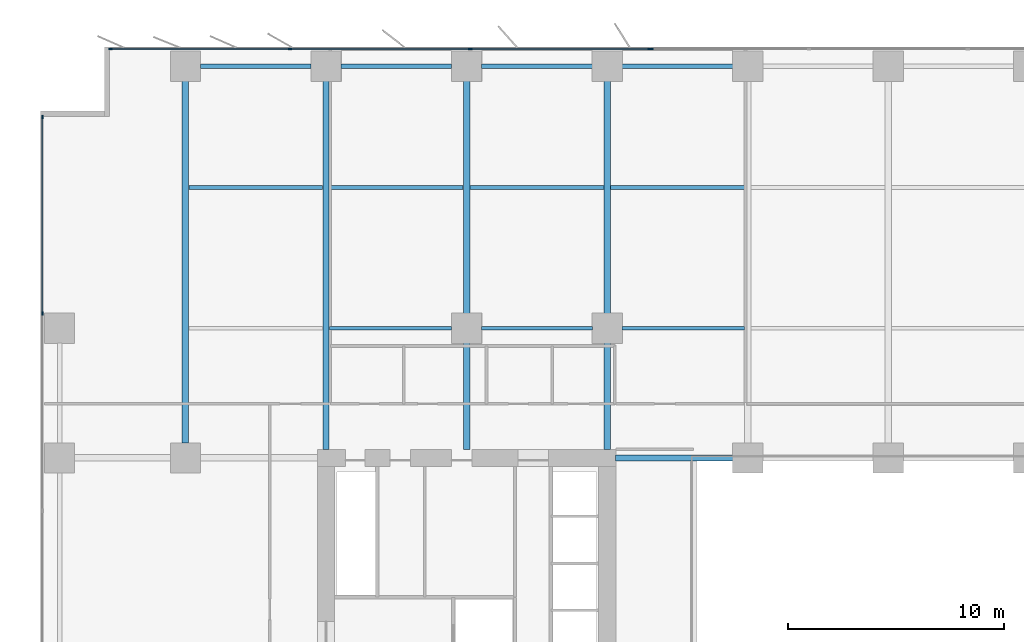
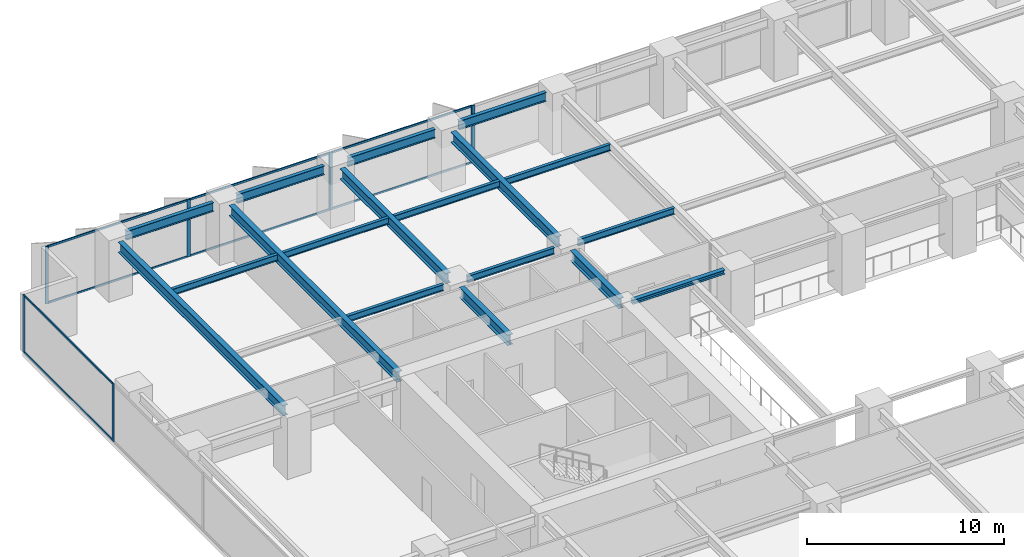
# One storey, part 7 of 20: 18 beams, 15 members, 3 elements without a shape of their own.
"""IFC4 building model written with IfcOpenShell, lengths in metres."""

from ifc_helpers import new_model, si_unit, direction, frame, origin, origin_2d, place, context, subcontext, project, spatial, rectangle, i_section, extrude, material, layer, layer_set, material_profile, profile_set, type_object, element, aggregate, save


model = new_model("IFC4")

# Units and contexts
model_context = context("Model", 3, precision=1e-05, world=origin(), true_north=direction((0.0, 1.0)))
body_context = subcontext(model_context, "Body", "Model", "MODEL_VIEW")
ifc_project = project(units=[si_unit("LENGTHUNIT", "METRE"), si_unit("AREAUNIT", "SQUARE_METRE"), si_unit("VOLUMEUNIT", "CUBIC_METRE"), si_unit("PLANEANGLEUNIT", "RADIAN"), si_unit("MASSUNIT", "GRAM", prefix="KILO")], contexts=[model_context])

# Site, building, storey
site_placement = place(None, origin())
site = spatial("IfcSite", under=ifc_project, at=site_placement, CompositionType="ELEMENT")
building_placement = place(site_placement, origin())
building = spatial("IfcBuilding", under=site, at=building_placement, Name="Putna Gate Headquarters", CompositionType="ELEMENT")
storey_placement = place(building_placement, frame((0.0, 0.0, 27.800048828125)))
storey = spatial("IfcBuildingStorey", under=building, at=storey_placement, Name="L05", CompositionType="ELEMENT", Elevation=27.800048828125)

# Beams
ifc_material_1 = material(Name="Steel S355J2", Category="steel")
ifc_material_profile_1 = material_profile(ifc_material_1, i_section(OverallWidth=0.260009765625, OverallDepth=0.260009765625, WebThickness=0.010009765625, FlangeThickness=0.017578125, at=origin_2d()), Name="Steel S355J2")
ifc_profile_set_1 = profile_set([ifc_material_profile_1], Name="Steel S355J2")
beam_type_1 = type_object("IfcBeamType", Name="BM-ATRIUM-HEB260", PredefinedType="BEAM", material=ifc_profile_set_1)
beam_1_placement = place(storey_placement, frame((26.385009765625, 33.0, 3.419921875), z_axis=(1.0, 0.0, 0.0), x_axis=(0.0, 1.0, 0.0)))
element("IfcBeam", 1, at=beam_1_placement, inside=storey, type_object=beam_type_1, Name="L05 Atrium Edge Beam AN1", PredefinedType="BEAM", context=body_context, shape_type="SweptSolid", body=[
    extrude(i_section(OverallWidth=0.260009765625, OverallDepth=0.260009765625, WebThickness=0.010009765625, FlangeThickness=0.017578125, at=origin_2d()), origin(), (0.0, 0.0, 1.0), 5.427001953125),
])
ifc_material_profile_2 = material_profile(ifc_material_1, i_section(OverallWidth=0.300048828125, OverallDepth=0.64990234375, WebThickness=0.01611328125, FlangeThickness=0.031005859375, at=origin_2d()), Name="Steel S355J2")
ifc_profile_set_2 = profile_set([ifc_material_profile_2], Name="Steel S355J2")
beam_type_2 = type_object("IfcBeamType", Name="BM-GIRD-Z1-HEB650", PredefinedType="USERDEFINED", material=ifc_profile_set_2)
beam_2_placement = place(storey_placement, frame((6.5, 33.68798828125, 3.224853515625), z_axis=(0.0, 1.0, 0.0), x_axis=(-1.0, 0.0, 0.0)))
element("IfcBeam", 2, at=beam_2_placement, inside=storey, type_object=beam_type_2, Name="L05 North Primary Girder X6", ObjectType="GIRDER", PredefinedType="USERDEFINED", context=body_context, shape_type="SweptSolid", body=[
    extrude(i_section(OverallWidth=0.300048828125, OverallDepth=0.64990234375, WebThickness=0.01611328125, FlangeThickness=0.031005859375, at=origin_2d()), origin(), (0.0, 0.0, 1.0), 16.743896484375),
])
beam_3_placement = place(storey_placement, frame((13.0, 33.385009765625, 3.224853515625), z_axis=(0.0, 1.0, 0.0), x_axis=(-1.0, 0.0, 0.0)))
element("IfcBeam", 3, at=beam_3_placement, inside=storey, type_object=beam_type_2, Name="L05 North Primary Girder X13", ObjectType="GIRDER", PredefinedType="USERDEFINED", context=body_context, shape_type="SweptSolid", body=[
    extrude(i_section(OverallWidth=0.300048828125, OverallDepth=0.64990234375, WebThickness=0.01611328125, FlangeThickness=0.031005859375, at=origin_2d()), origin(), (0.0, 0.0, 1.0), 17.046875),
])
beam_4_placement = place(storey_placement, frame((19.5, 33.385009765625, 3.224853515625), z_axis=(0.0, 1.0, 0.0), x_axis=(-1.0, 0.0, 0.0)))
element("IfcBeam", 4, at=beam_4_placement, inside=storey, type_object=beam_type_2, Name="L05 North Primary Girder X19-1", ObjectType="GIRDER", PredefinedType="USERDEFINED", context=body_context, shape_type="SweptSolid", body=[
    extrude(i_section(OverallWidth=0.300048828125, OverallDepth=0.64990234375, WebThickness=0.01611328125, FlangeThickness=0.031005859375, at=origin_2d()), origin(), (0.0, 0.0, 1.0), 4.927001953125),
])
beam_5_placement = place(storey_placement, frame((19.5, 39.68798828125, 3.224853515625), z_axis=(0.0, 1.0, 0.0), x_axis=(-1.0, 0.0, 0.0)))
element("IfcBeam", 5, at=beam_5_placement, inside=storey, type_object=beam_type_2, Name="L05 North Primary Girder X19-2", ObjectType="GIRDER", PredefinedType="USERDEFINED", context=body_context, shape_type="SweptSolid", body=[
    extrude(i_section(OverallWidth=0.300048828125, OverallDepth=0.64990234375, WebThickness=0.01611328125, FlangeThickness=0.031005859375, at=origin_2d()), origin(), (0.0, 0.0, 1.0), 10.743896484375),
])
beam_6_placement = place(storey_placement, frame((26.0, 33.385009765625, 3.224853515625), z_axis=(0.0, 1.0, 0.0), x_axis=(-1.0, 0.0, 0.0)))
element("IfcBeam", 6, at=beam_6_placement, inside=storey, type_object=beam_type_2, Name="L05 North Primary Girder X26-1", ObjectType="GIRDER", PredefinedType="USERDEFINED", context=body_context, shape_type="SweptSolid", body=[
    extrude(i_section(OverallWidth=0.300048828125, OverallDepth=0.64990234375, WebThickness=0.01611328125, FlangeThickness=0.031005859375, at=origin_2d()), origin(), (0.0, 0.0, 1.0), 4.927001953125),
])
beam_7_placement = place(storey_placement, frame((26.0, 39.68798828125, 3.224853515625), z_axis=(0.0, 1.0, 0.0), x_axis=(-1.0, 0.0, 0.0)))
element("IfcBeam", 7, at=beam_7_placement, inside=storey, type_object=beam_type_2, Name="L05 North Primary Girder X26-2", ObjectType="GIRDER", PredefinedType="USERDEFINED", context=body_context, shape_type="SweptSolid", body=[
    extrude(i_section(OverallWidth=0.300048828125, OverallDepth=0.64990234375, WebThickness=0.01611328125, FlangeThickness=0.031005859375, at=origin_2d()), origin(), (0.0, 0.0, 1.0), 10.743896484375),
])
ifc_material_profile_3 = material_profile(ifc_material_1, i_section(OverallWidth=0.179931640625, OverallDepth=0.39990234375, WebThickness=0.008544921875, FlangeThickness=0.013427734375, at=origin_2d()), Name="Steel S355J2")
ifc_profile_set_3 = profile_set([ifc_material_profile_3], Name="Steel S355J2")
beam_type_3 = type_object("IfcBeamType", Name="BM-SEC-Z1-IPE400", PredefinedType="BEAM", material=ifc_profile_set_3)
beam_8_placement = place(storey_placement, frame((6.654052734375, 45.5, 3.349853515625), z_axis=(1.0, 0.0, 0.0), x_axis=(0.0, 1.0, 0.0)))
element("IfcBeam", 8, at=beam_8_placement, inside=storey, type_object=beam_type_3, Name="L05 North Secondary Beam 1", PredefinedType="BEAM", context=body_context, shape_type="SweptSolid", body=[
    extrude(i_section(OverallWidth=0.179931640625, OverallDepth=0.39990234375, WebThickness=0.008544921875, FlangeThickness=0.013427734375, at=origin_2d()), origin(), (0.0, 0.0, 1.0), 6.19189453125),
])
beam_9_placement = place(storey_placement, frame((13.154052734375, 39.0, 3.349853515625), z_axis=(1.0, 0.0, 0.0), x_axis=(0.0, 1.0, 0.0)))
element("IfcBeam", 9, at=beam_9_placement, inside=storey, type_object=beam_type_3, Name="L05 North Secondary Beam 2", PredefinedType="BEAM", context=body_context, shape_type="SweptSolid", body=[
    extrude(i_section(OverallWidth=0.179931640625, OverallDepth=0.39990234375, WebThickness=0.008544921875, FlangeThickness=0.013427734375, at=origin_2d()), origin(), (0.0, 0.0, 1.0), 5.657958984375),
])
beam_10_placement = place(storey_placement, frame((13.154052734375, 45.5, 3.349853515625), z_axis=(1.0, 0.0, 0.0), x_axis=(0.0, 1.0, 0.0)))
element("IfcBeam", 10, at=beam_10_placement, inside=storey, type_object=beam_type_3, Name="L05 North Secondary Beam 2", PredefinedType="BEAM", context=body_context, shape_type="SweptSolid", body=[
    extrude(i_section(OverallWidth=0.179931640625, OverallDepth=0.39990234375, WebThickness=0.008544921875, FlangeThickness=0.013427734375, at=origin_2d()), origin(), (0.0, 0.0, 1.0), 6.19189453125),
])
beam_11_placement = place(storey_placement, frame((20.18798828125, 39.0, 3.349853515625), z_axis=(1.0, 0.0, 0.0), x_axis=(0.0, 1.0, 0.0)))
element("IfcBeam", 11, at=beam_11_placement, inside=storey, type_object=beam_type_3, Name="L05 North Secondary Beam 3", PredefinedType="BEAM", context=body_context, shape_type="SweptSolid", body=[
    extrude(i_section(OverallWidth=0.179931640625, OverallDepth=0.39990234375, WebThickness=0.008544921875, FlangeThickness=0.013427734375, at=origin_2d()), origin(), (0.0, 0.0, 1.0), 5.1240234375),
])
beam_12_placement = place(storey_placement, frame((19.654052734375, 45.5, 3.349853515625), z_axis=(1.0, 0.0, 0.0), x_axis=(0.0, 1.0, 0.0)))
element("IfcBeam", 12, at=beam_12_placement, inside=storey, type_object=beam_type_3, Name="L05 North Secondary Beam 3", PredefinedType="BEAM", context=body_context, shape_type="SweptSolid", body=[
    extrude(i_section(OverallWidth=0.179931640625, OverallDepth=0.39990234375, WebThickness=0.008544921875, FlangeThickness=0.013427734375, at=origin_2d()), origin(), (0.0, 0.0, 1.0), 6.19189453125),
])
beam_13_placement = place(storey_placement, frame((26.68798828125, 39.0, 3.349853515625), z_axis=(1.0, 0.0, 0.0), x_axis=(0.0, 1.0, 0.0)))
element("IfcBeam", 13, at=beam_13_placement, inside=storey, type_object=beam_type_3, Name="L05 North Secondary Beam 4", PredefinedType="BEAM", context=body_context, shape_type="SweptSolid", body=[
    extrude(i_section(OverallWidth=0.179931640625, OverallDepth=0.39990234375, WebThickness=0.008544921875, FlangeThickness=0.013427734375, at=origin_2d()), origin(), (0.0, 0.0, 1.0), 5.657958984375),
])
beam_14_placement = place(storey_placement, frame((26.154052734375, 45.5, 3.349853515625), z_axis=(1.0, 0.0, 0.0), x_axis=(0.0, 1.0, 0.0)))
element("IfcBeam", 14, at=beam_14_placement, inside=storey, type_object=beam_type_3, Name="L05 North Secondary Beam 4", PredefinedType="BEAM", context=body_context, shape_type="SweptSolid", body=[
    extrude(i_section(OverallWidth=0.179931640625, OverallDepth=0.39990234375, WebThickness=0.008544921875, FlangeThickness=0.013427734375, at=origin_2d()), origin(), (0.0, 0.0, 1.0), 6.19189453125),
])
ifc_material_profile_4 = material_profile(ifc_material_1, i_section(OverallWidth=0.2099609375, OverallDepth=0.550048828125, WebThickness=0.010986328125, FlangeThickness=0.01708984375, at=origin_2d()), Name="Steel S355J2")
ifc_profile_set_4 = profile_set([ifc_material_profile_4], Name="Steel S355J2")
beam_type_4 = type_object("IfcBeamType", Name="BM-SPAN-Z1-IPE550", PredefinedType="SPANDREL", material=ifc_profile_set_4)
for number, where, z_axis, x_axis, name in (
    (15, (7.18798828125, 51.1201171875, 3.27490234375), (1.0, 0.0, 0.0), (0.0, 1.0, 0.0), "L05 N Perimeter Spandrel 1"),
    (16, (13.68798828125, 51.1201171875, 3.27490234375), (1.0, 0.0, 0.0), (0.0, 1.0, 0.0), "L05 N Perimeter Spandrel 2"),
    (17, (20.18798828125, 51.1201171875, 3.27490234375), (1.0, 0.0, 0.0), (0.0, 1.0, 0.0), "L05 N Perimeter Spandrel 3"),
    (18, (26.68798828125, 51.1201171875, 3.27490234375), (1.0, 0.0, 0.0), (0.0, 1.0, 0.0), "L05 N Perimeter Spandrel 4"),
):
    element("IfcBeam", number, at=place(storey_placement, frame(where, z_axis=z_axis, x_axis=x_axis)), inside=storey, type_object=beam_type_4, Name=name, PredefinedType="SPANDREL", context=body_context, shape_type="SweptSolid", body=[
        extrude(i_section(OverallWidth=0.2099609375, OverallDepth=0.550048828125, WebThickness=0.010986328125, FlangeThickness=0.01708984375, at=origin_2d()), origin(), (0.0, 0.0, 1.0), 5.1240234375),
    ])

# Curtain wall, members
ifc_material_2 = material(Name="Anodised bronze aluminium curtain wall", Category="aluminium")
ifc_layer_1 = layer(ifc_material_2, 0.179931640625)
ifc_layer_set_1 = layer_set([ifc_layer_1], Name="Anodised bronze aluminium curtain wall")
curtain_wall_type_1 = type_object("IfcCurtainWallType", Name="CW-SYS-Z1", PredefinedType="USERDEFINED", material=ifc_layer_set_1)
curtain_wall_1_placement = place(storey_placement, origin())
curtain_wall_1 = element("IfcCurtainWall", 19, at=curtain_wall_1_placement, inside=storey, type_object=curtain_wall_type_1, Name="L05 North West Curtain Wall", ObjectType="STICK CURTAIN WALL", PredefinedType="USERDEFINED")
ifc_material_3 = material(Name="Anodised bronze aluminium EN AW-6060", Category="aluminium")
ifc_material_profile_5 = material_profile(ifc_material_3, rectangle(XDim=0.070068359375, YDim=0.179931640625, at=origin_2d()), Name="Anodised bronze aluminium EN AW-6060")
ifc_profile_set_5 = profile_set([ifc_material_profile_5], Name="Anodised bronze aluminium EN AW-6060")
member_type_1 = type_object("IfcMemberType", Name="MULL-CWM-1", PredefinedType="MULLION", material=ifc_profile_set_5)
member_1_placement = place(storey_placement, frame((3.034912109375, 51.919921875, 0.0), z_axis=(0.0, 0.0, 1.0), x_axis=(0.0, 1.0, 0.0)))
member_1 = element("IfcMember", 20, at=member_1_placement, type_object=member_type_1, Name="CWS-1 mullion 1", PredefinedType="MULLION", context=body_context, shape_type="SweptSolid", body=[
    extrude(rectangle(XDim=0.070068359375, YDim=0.179931640625, at=origin_2d()), origin(), (0.0, 0.0, 1.0), 3.550048828125),
])
member_2_placement = place(storey_placement, frame((11.333251953125, 51.919921875, 0.0), z_axis=(0.0, 0.0, 1.0), x_axis=(0.0, 1.0, 0.0)))
member_2 = element("IfcMember", 21, at=member_2_placement, type_object=member_type_1, Name="CWS-1 mullion 2", PredefinedType="MULLION", context=body_context, shape_type="SweptSolid", body=[
    extrude(rectangle(XDim=0.070068359375, YDim=0.179931640625, at=origin_2d()), origin(), (0.0, 0.0, 1.0), 3.550048828125),
])
member_3_placement = place(storey_placement, frame((19.666748046875, 51.919921875, 0.0), z_axis=(0.0, 0.0, 1.0), x_axis=(0.0, 1.0, 0.0)))
member_3 = element("IfcMember", 22, at=member_3_placement, type_object=member_type_1, Name="CWS-1 mullion 3", PredefinedType="MULLION", context=body_context, shape_type="SweptSolid", body=[
    extrude(rectangle(XDim=0.070068359375, YDim=0.179931640625, at=origin_2d()), origin(), (0.0, 0.0, 1.0), 3.550048828125),
])
member_4_placement = place(storey_placement, frame((27.965087890625, 51.919921875, 0.0), z_axis=(0.0, 0.0, 1.0), x_axis=(0.0, 1.0, 0.0)))
member_4 = element("IfcMember", 23, at=member_4_placement, type_object=member_type_1, Name="CWS-1 mullion 4", PredefinedType="MULLION", context=body_context, shape_type="SweptSolid", body=[
    extrude(rectangle(XDim=0.070068359375, YDim=0.179931640625, at=origin_2d()), origin(), (0.0, 0.0, 1.0), 3.550048828125),
])

curtain_wall_2_placement = place(storey_placement, origin())
curtain_wall_2 = element("IfcCurtainWall", 24, at=curtain_wall_2_placement, inside=storey, type_object=curtain_wall_type_1, Name="L05 West Curtain Wall", ObjectType="STICK CURTAIN WALL", PredefinedType="USERDEFINED")
member_5_placement = place(storey_placement, frame((-0.1201171875, 39.679931640625, 0.0), z_axis=(0.0, 0.0, 1.0), x_axis=(-1.0, 0.0, 0.0)))
member_5 = element("IfcMember", 25, at=member_5_placement, type_object=member_type_1, Name="CWS-1 mullion 5", PredefinedType="MULLION", context=body_context, shape_type="SweptSolid", body=[
    extrude(rectangle(XDim=0.070068359375, YDim=0.179931640625, at=origin_2d()), origin(), (0.0, 0.0, 1.0), 3.550048828125),
])
member_6_placement = place(storey_placement, frame((-0.1201171875, 48.764892578125, 0.0), z_axis=(0.0, 0.0, 1.0), x_axis=(-1.0, 0.0, 0.0)))
member_6 = element("IfcMember", 26, at=member_6_placement, type_object=member_type_1, Name="CWS-1 mullion 6", PredefinedType="MULLION", context=body_context, shape_type="SweptSolid", body=[
    extrude(rectangle(XDim=0.070068359375, YDim=0.179931640625, at=origin_2d()), origin(), (0.0, 0.0, 1.0), 3.550048828125),
])

# Curtain wall, member
ifc_layer_2 = layer(ifc_material_2, 0.179931640625)
ifc_layer_set_2 = layer_set([ifc_layer_2], Name="Anodised bronze aluminium curtain wall")
curtain_wall_type_2 = type_object("IfcCurtainWallType", Name="CW-SYS-ATR", PredefinedType="USERDEFINED", material=ifc_layer_set_2)
curtain_wall_3_placement = place(storey_placement, origin())
curtain_wall_3 = element("IfcCurtainWall", 27, at=curtain_wall_3_placement, inside=storey, type_object=curtain_wall_type_2, Name="L05 North Atrium Clear Glazing", ObjectType="ATRIUM GLAZING", PredefinedType="USERDEFINED")
ifc_material_profile_6 = material_profile(ifc_material_3, rectangle(XDim=0.070068359375, YDim=0.179931640625, at=origin_2d()), Name="Anodised bronze aluminium EN AW-6060")
ifc_profile_set_6 = profile_set([ifc_material_profile_6], Name="Anodised bronze aluminium EN AW-6060")
member_type_2 = type_object("IfcMemberType", Name="MULL-CWM-AT", PredefinedType="MULLION", material=ifc_profile_set_6)
member_7_placement = place(storey_placement, frame((28.034912109375, 51.919921875, 0.0), z_axis=(0.0, 0.0, 1.0), x_axis=(0.0, 1.0, 0.0)))
member_7 = element("IfcMember", 28, at=member_7_placement, type_object=member_type_2, Name="CWS-AT mullion 1", PredefinedType="MULLION", context=body_context, shape_type="SweptSolid", body=[
    extrude(rectangle(XDim=0.070068359375, YDim=0.179931640625, at=origin_2d()), origin(), (0.0, 0.0, 1.0), 3.550048828125),
])
aggregate(curtain_wall_3, [member_7])

# Member
ifc_material_profile_7 = material_profile(ifc_material_3, rectangle(XDim=0.06494140625, YDim=0.1201171875, at=origin_2d()), Name="Anodised bronze aluminium EN AW-6060")
ifc_profile_set_7 = profile_set([ifc_material_profile_7], Name="Anodised bronze aluminium EN AW-6060")
member_type_3 = type_object("IfcMemberType", Name="TRAN-CWT-1", PredefinedType="USERDEFINED", material=ifc_profile_set_7)
member_8_placement = place(storey_placement, frame((3.070068359375, 51.919921875, 0.032470703125), z_axis=(1.0, 0.0, 0.0), x_axis=(0.0, 1.0, 0.0)))
member_8 = element("IfcMember", 29, at=member_8_placement, type_object=member_type_3, Name="CWS-1 transom 1.1", ObjectType="TRANSOM", PredefinedType="USERDEFINED", context=body_context, shape_type="SweptSolid", body=[
    extrude(rectangle(XDim=0.06494140625, YDim=0.1201171875, at=origin_2d()), origin(), (0.0, 0.0, 1.0), 8.228271484375),
])

member_9_placement = place(storey_placement, frame((3.070068359375, 51.919921875, 3.517333984375), z_axis=(1.0, 0.0, 0.0), x_axis=(0.0, 1.0, 0.0)))
member_9 = element("IfcMember", 30, at=member_9_placement, type_object=member_type_3, Name="CWS-1 transom 1.2", ObjectType="TRANSOM", PredefinedType="USERDEFINED", context=body_context, shape_type="SweptSolid", body=[
    extrude(rectangle(XDim=0.06494140625, YDim=0.1201171875, at=origin_2d()), origin(), (0.0, 0.0, 1.0), 8.228271484375),
])

member_10_placement = place(storey_placement, frame((11.368408203125, 51.919921875, 0.032470703125), z_axis=(1.0, 0.0, 0.0), x_axis=(0.0, 1.0, 0.0)))
member_10 = element("IfcMember", 31, at=member_10_placement, type_object=member_type_3, Name="CWS-1 transom 2.1", ObjectType="TRANSOM", PredefinedType="USERDEFINED", context=body_context, shape_type="SweptSolid", body=[
    extrude(rectangle(XDim=0.06494140625, YDim=0.1201171875, at=origin_2d()), origin(), (0.0, 0.0, 1.0), 8.26318359375),
])

member_11_placement = place(storey_placement, frame((11.368408203125, 51.919921875, 3.517333984375), z_axis=(1.0, 0.0, 0.0), x_axis=(0.0, 1.0, 0.0)))
member_11 = element("IfcMember", 32, at=member_11_placement, type_object=member_type_3, Name="CWS-1 transom 2.2", ObjectType="TRANSOM", PredefinedType="USERDEFINED", context=body_context, shape_type="SweptSolid", body=[
    extrude(rectangle(XDim=0.06494140625, YDim=0.1201171875, at=origin_2d()), origin(), (0.0, 0.0, 1.0), 8.26318359375),
])

member_12_placement = place(storey_placement, frame((19.70166015625, 51.919921875, 0.032470703125), z_axis=(1.0, 0.0, 0.0), x_axis=(0.0, 1.0, 0.0)))
member_12 = element("IfcMember", 33, at=member_12_placement, type_object=member_type_3, Name="CWS-1 transom 3.1", ObjectType="TRANSOM", PredefinedType="USERDEFINED", context=body_context, shape_type="SweptSolid", body=[
    extrude(rectangle(XDim=0.06494140625, YDim=0.1201171875, at=origin_2d()), origin(), (0.0, 0.0, 1.0), 8.228271484375),
])

member_13_placement = place(storey_placement, frame((19.70166015625, 51.919921875, 3.517333984375), z_axis=(1.0, 0.0, 0.0), x_axis=(0.0, 1.0, 0.0)))
member_13 = element("IfcMember", 34, at=member_13_placement, type_object=member_type_3, Name="CWS-1 transom 3.2", ObjectType="TRANSOM", PredefinedType="USERDEFINED", context=body_context, shape_type="SweptSolid", body=[
    extrude(rectangle(XDim=0.06494140625, YDim=0.1201171875, at=origin_2d()), origin(), (0.0, 0.0, 1.0), 8.228271484375),
])

aggregate(curtain_wall_1, [member_1, member_2, member_3, member_4, member_8, member_9, member_10, member_11, member_12, member_13])

member_14_placement = place(storey_placement, frame((-0.1201171875, 39.715087890625, 0.032470703125), z_axis=(0.0, 1.0, 0.0), x_axis=(-1.0, 0.0, 0.0)))
member_14 = element("IfcMember", 35, at=member_14_placement, type_object=member_type_3, Name="CWS-1 transom 5.1", ObjectType="TRANSOM", PredefinedType="USERDEFINED", context=body_context, shape_type="SweptSolid", body=[
    extrude(rectangle(XDim=0.06494140625, YDim=0.1201171875, at=origin_2d()), origin(), (0.0, 0.0, 1.0), 9.014892578125),
])

member_15_placement = place(storey_placement, frame((-0.1201171875, 39.715087890625, 3.517333984375), z_axis=(0.0, 1.0, 0.0), x_axis=(-1.0, 0.0, 0.0)))
member_15 = element("IfcMember", 36, at=member_15_placement, type_object=member_type_3, Name="CWS-1 transom 5.2", ObjectType="TRANSOM", PredefinedType="USERDEFINED", context=body_context, shape_type="SweptSolid", body=[
    extrude(rectangle(XDim=0.06494140625, YDim=0.1201171875, at=origin_2d()), origin(), (0.0, 0.0, 1.0), 9.014892578125),
])

aggregate(curtain_wall_2, [member_5, member_6, member_14, member_15])

save(model, "model.ifc")
